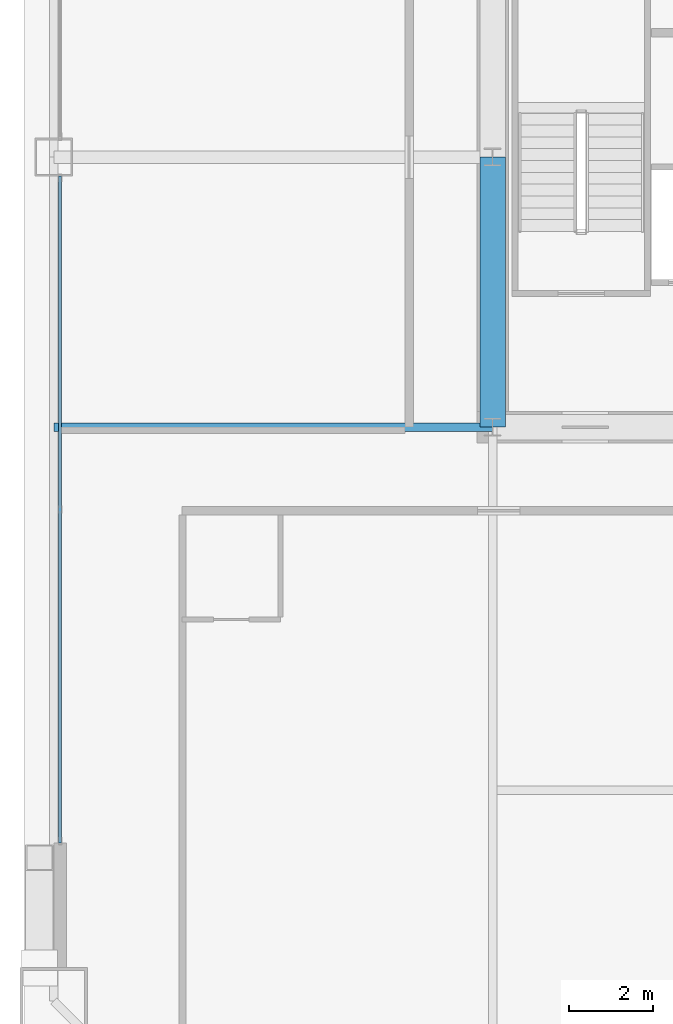
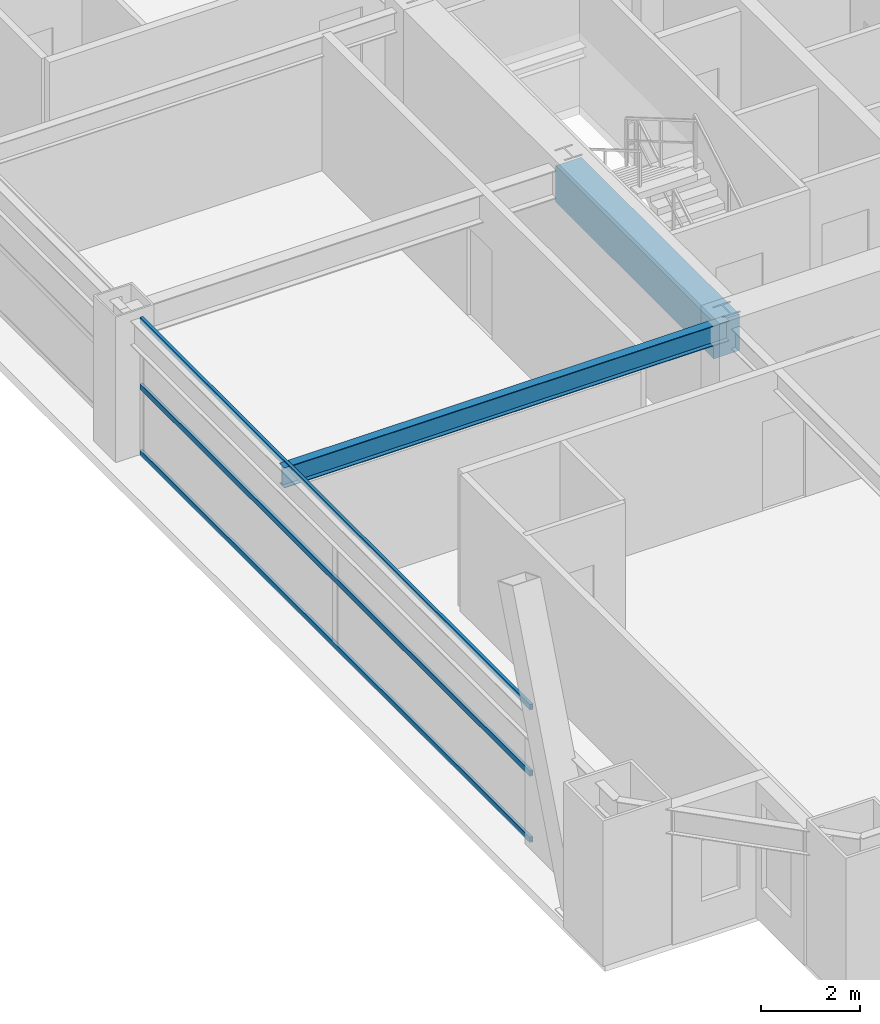
# One storey, part 11 of 43: 3 members, 2 beams, 1 element without a shape of its own.
"""IFC4 building model written with IfcOpenShell, lengths in metres."""

import ifcopenshell
import ifcopenshell.guid

model = None  # the IFC model being written
_history = None  # IfcOwnerHistory: only IFC2X3 demands one
_inside = {}  # id of a spatial element -> (the spatial element, [elements in it])
_under = {}  # id of a project, library or spatial element -> (it, [spatial elements below it])
_declared = {}  # id of a project -> (the project, [libraries it declares])
_typed = {}  # id of a type object -> (the type object, [elements of that type])
_made_of = {}  # id of a material, layer set ... -> (it, [elements and type objects made of it])


def new_model(schema):
    """Start an empty IFC model of exactly this schema.

    Asked for "IFC4X3", IfcOpenShell would pick the latest addendum, in which some entities
    have other attributes; the version numbers below select the first issue.
    IFC2X3 requires an IfcOwnerHistory on every rooted entity: one is made here for all.
    """
    global model, _history
    if schema == "IFC4X3":
        model = ifcopenshell.file(schema_version=(4, 3, 0, 0))
    else:
        model = ifcopenshell.file(schema=schema)
    _inside.clear()
    _under.clear()
    _declared.clear()
    _typed.clear()
    _made_of.clear()
    _history = None
    if model.schema == "IFC2X3":
        org = make("IfcOrganization", Name="unknown")
        user = make(
            "IfcPersonAndOrganization",
            ThePerson=make("IfcPerson", FamilyName="unknown"),
            TheOrganization=org,
        )
        app = make(
            "IfcApplication",
            ApplicationDeveloper=org,
            Version="unknown",
            ApplicationFullName="unknown",
            ApplicationIdentifier="unknown",
        )
        _history = make(
            "IfcOwnerHistory",
            OwningUser=user,
            OwningApplication=app,
            ChangeAction="ADDED",
            CreationDate=0,
        )
    return model


def make(cls, **values):
    """One entity of the class cls with the attributes given. An attribute that is None is left unset."""
    return model.create_entity(
        cls, **{name: value for name, value in values.items() if value is not None}
    )


def rooted(cls, **values):
    """An entity with a GlobalId (a new one), such as an element, a storey or a relation."""
    return make(cls, GlobalId=ifcopenshell.guid.new(), OwnerHistory=_history, **values)


def si_unit(unit_type, name, prefix=None):
    """IfcSIUnit, for example si_unit("LENGTHUNIT", "METRE", prefix="MILLI")."""
    return make("IfcSIUnit", UnitType=unit_type, Prefix=prefix, Name=name)


def assignment(units):
    """IfcUnitAssignment: the units of a project."""
    return None if units is None else make("IfcUnitAssignment", Units=units)


def point(xyz):
    """IfcCartesianPoint."""
    return None if xyz is None else make("IfcCartesianPoint", Coordinates=xyz)


def direction(xyz):
    """IfcDirection."""
    return None if xyz is None else make("IfcDirection", DirectionRatios=xyz)


def frame(location, z_axis=None, x_axis=None):
    """IfcAxis2Placement3D, a coordinate frame: its origin and axes. An axis left out is left unset."""
    return make(
        "IfcAxis2Placement3D",
        Location=point(location),
        Axis=direction(z_axis),
        RefDirection=direction(x_axis),
    )


def frame_2d(location, x_axis=None):
    """IfcAxis2Placement2D, a coordinate frame in the plane: its origin and x axis."""
    return make(
        "IfcAxis2Placement2D", Location=point(location), RefDirection=direction(x_axis)
    )


def origin():
    """The frame at (0, 0, 0) with its axes left unset."""
    return frame((0.0, 0.0, 0.0))


def origin_2d():
    """The frame at (0, 0) in the plane with its x axis left unset."""
    return frame_2d((0.0, 0.0))


def place(relative_to, where):
    """IfcLocalPlacement: puts the frame where relative to a parent placement (None: the world)."""
    return make(
        "IfcLocalPlacement", PlacementRelTo=relative_to, RelativePlacement=where
    )


def context(
    kind, dimensions, precision=None, world=None, true_north=None, identifier=None
):
    """IfcGeometricRepresentationContext, for example the 3D "Model" context."""
    return make(
        "IfcGeometricRepresentationContext",
        ContextIdentifier=identifier,
        ContextType=kind,
        CoordinateSpaceDimension=dimensions,
        Precision=precision,
        WorldCoordinateSystem=world,
        TrueNorth=true_north,
    )


def subcontext(parent, identifier, kind, view, scale=None):
    """IfcGeometricRepresentationSubContext, for example "Body" below "Model"."""
    return make(
        "IfcGeometricRepresentationSubContext",
        ContextIdentifier=identifier,
        ContextType=kind,
        ParentContext=parent,
        TargetScale=scale,
        TargetView=view,
    )


def project(units=None, contexts=None):
    """IfcProject with its units and contexts."""
    return rooted(
        "IfcProject",
        Name="project",
        RepresentationContexts=contexts,
        UnitsInContext=assignment(units),
    )


def spatial(cls, under=None, at=None, **own):
    """A site, building, storey or space (cls), placed at a placement, below another one or the project."""
    s = rooted(cls, ObjectPlacement=at, **own)
    if under is not None:
        _under.setdefault(under.id(), (under, []))[1].append(s)
    return s


def profile(cls, at=None, kind="AREA", **sizes):
    """A parametric profile (cls). Its sizes go by their IFC names, for example OverallWidth=200.0."""
    return make(cls, ProfileType=kind, Position=at, **sizes)


def rectangle(**sizes):
    """IfcRectangleProfileDef."""
    return profile("IfcRectangleProfileDef", **sizes)


def hollow_rectangle(**sizes):
    """IfcRectangleHollowProfileDef."""
    return profile("IfcRectangleHollowProfileDef", **sizes)


def i_section(**sizes):
    """IfcIShapeProfileDef."""
    return profile("IfcIShapeProfileDef", **sizes)


def extrude(swept, where, along, depth):
    """IfcExtrudedAreaSolid: the profile swept, set in the frame where, extruded along a direction by depth."""
    return make(
        "IfcExtrudedAreaSolid",
        SweptArea=swept,
        Position=where,
        ExtrudedDirection=direction(along),
        Depth=depth,
    )


def shape(context_of_items, identifier, shape_type, items):
    """IfcShapeRepresentation: the items that make up one representation, for example the "Body"."""
    return make(
        "IfcShapeRepresentation",
        ContextOfItems=context_of_items,
        RepresentationIdentifier=identifier,
        RepresentationType=shape_type,
        Items=items,
    )


def source(mapping_origin, context_of_items, identifier, shape_type, items):
    """IfcRepresentationMap: a shape defined once, which mapped items show again and again."""
    return make(
        "IfcRepresentationMap",
        MappingOrigin=mapping_origin,
        MappedRepresentation=shape(context_of_items, identifier, shape_type, items),
    )


def transform(
    local_origin,
    x_axis=None,
    y_axis=None,
    z_axis=None,
    scale=None,
    scale2=None,
    scale3=None,
    uniform=True,
):
    """IfcCartesianTransformationOperator3D, or its non-uniform kind. x_axis, y_axis, z_axis: its Axis1, 2, 3."""
    if uniform:
        return make(
            "IfcCartesianTransformationOperator3D",
            Axis1=direction(x_axis),
            Axis2=direction(y_axis),
            LocalOrigin=point(local_origin),
            Scale=scale,
            Axis3=direction(z_axis),
        )
    return make(
        "IfcCartesianTransformationOperator3DnonUniform",
        Axis1=direction(x_axis),
        Axis2=direction(y_axis),
        LocalOrigin=point(local_origin),
        Scale=scale,
        Axis3=direction(z_axis),
        Scale2=scale2,
        Scale3=scale3,
    )


def mapped(mapping_source, mapping_target):
    """IfcMappedItem: shows the shape of a source again, moved by a transform."""
    return make(
        "IfcMappedItem", MappingSource=mapping_source, MappingTarget=mapping_target
    )


def material(Name=None, Category=None):
    """IfcMaterial."""
    return make("IfcMaterial", Name=Name, Category=Category)


def layer(
    of_material, thickness, ventilated=None, Name=None, Category=None, Priority=None
):
    """IfcMaterialLayer: one layer of a wall or slab, of a material (None: an air gap)."""
    return make(
        "IfcMaterialLayer",
        Material=of_material,
        LayerThickness=thickness,
        IsVentilated=ventilated,
        Name=Name,
        Category=Category,
        Priority=Priority,
    )


def layer_set(layers, Name=None):
    """IfcMaterialLayerSet."""
    return make("IfcMaterialLayerSet", MaterialLayers=layers, LayerSetName=Name)


def material_profile(
    of_material, cross_section, Name=None, Category=None, Priority=None
):
    """IfcMaterialProfile: a cross section and its material."""
    return make(
        "IfcMaterialProfile",
        Name=Name,
        Material=of_material,
        Profile=cross_section,
        Priority=Priority,
        Category=Category,
    )


def profile_set(profiles, Name=None, composite=None):
    """IfcMaterialProfileSet."""
    return make(
        "IfcMaterialProfileSet",
        Name=Name,
        MaterialProfiles=profiles,
        CompositeProfile=composite,
    )


def made_of(thing, what):
    """Note that an element or type object is made of a material, layer set ...; save() writes the relation."""
    if what is not None:
        _made_of.setdefault(what.id(), (what, []))[1].append(thing)
    return thing


def type_object(cls, material=None, **own):
    """A type object (cls), such as IfcWallType, which elements share."""
    return made_of(rooted(cls, **own), material)


def element(
    cls,
    number,
    at=None,
    inside=None,
    cuts=None,
    type_object=None,
    material=None,
    context=None,
    identifier="Body",
    shape_type=None,
    held_by="IfcProductDefinitionShape",
    body=None,
    shapes=None,
    **own,
):
    """One element of the class cls, such as IfcWall. Its Tag is "e" and its number.

    at: its placement. inside: the storey or other place that contains it. cuts: it is an
    opening in that element (IfcRelVoidsElement). A single representation is given by context,
    identifier, shape_type and body (its items); several are given by shapes. held_by: the class
    of the entity that holds the representations. save() writes the other relations.
    """
    e = rooted(cls, Tag="e%d" % number, ObjectPlacement=at, **own)
    if body is not None:
        shapes = [shape(context, identifier, shape_type, body)]
    if shapes is not None:
        e.Representation = make(held_by, Representations=shapes)
    if inside is not None:
        _inside.setdefault(inside.id(), (inside, []))[1].append(e)
    if cuts is not None:
        rooted(
            "IfcRelVoidsElement", RelatingBuildingElement=cuts, RelatedOpeningElement=e
        )
    if type_object is not None:
        _typed.setdefault(type_object.id(), (type_object, []))[1].append(e)
    return made_of(e, material)


def aggregate(whole, parts):
    """IfcRelAggregates: a whole, such as a stair, and the parts it consists of."""
    return rooted("IfcRelAggregates", RelatingObject=whole, RelatedObjects=parts)


def save(model, path):
    """Write the relations noted so far, then the file.

    IfcRelAggregates (storeys below a building ...), IfcRelContainedInSpatialStructure (elements
    in a storey), IfcRelDefinesByType, IfcRelAssociatesMaterial and IfcRelDeclares: one each for
    every whole, place, type object, material and project.
    """
    for whole, parts in _under.values():
        aggregate(whole, parts)
    for where, things in _inside.values():
        rooted(
            "IfcRelContainedInSpatialStructure",
            RelatedElements=things,
            RelatingStructure=where,
        )
    for kind, things in _typed.values():
        rooted("IfcRelDefinesByType", RelatedObjects=things, RelatingType=kind)
    for what, things in _made_of.values():
        rooted("IfcRelAssociatesMaterial", RelatedObjects=things, RelatingMaterial=what)
    for by, libraries in _declared.values():
        rooted("IfcRelDeclares", RelatingContext=by, RelatedDefinitions=libraries)
    model.write(path)


model = new_model("IFC4")

# Units and contexts
model_context = context("Model", 3, precision=1e-05, world=origin(), true_north=direction((0.0, 1.0)))
body_context = subcontext(model_context, "Body", "Model", "MODEL_VIEW")
ifc_project = project(units=[si_unit("LENGTHUNIT", "METRE"), si_unit("AREAUNIT", "SQUARE_METRE"), si_unit("VOLUMEUNIT", "CUBIC_METRE"), si_unit("PLANEANGLEUNIT", "RADIAN"), si_unit("MASSUNIT", "GRAM", prefix="KILO"), si_unit("THERMODYNAMICTEMPERATUREUNIT", "KELVIN"), si_unit("POWERUNIT", "WATT")], contexts=[model_context])

# Site, building, storey
site_placement = place(None, origin())
site = spatial("IfcSite", under=ifc_project, at=site_placement, CompositionType="ELEMENT")
building_placement = place(site_placement, origin())
building = spatial("IfcBuilding", under=site, at=building_placement, Name="Yuzanri Waterfront Tower", CompositionType="ELEMENT")
storey_placement = place(building_placement, frame((0.0, 0.0, 108.199951171875)))
storey = spatial("IfcBuildingStorey", under=building, at=storey_placement, Name="L28", CompositionType="ELEMENT", Elevation=108.199951171875)

# Beams
ifc_material_1 = material(Name="Concrete C60", Category="concrete")
ifc_material_profile_1 = material_profile(ifc_material_1, rectangle(XDim=0.60009765625, YDim=0.89990234375, at=origin_2d()), Name="RC 600x900")
ifc_profile_set_1 = profile_set([ifc_material_profile_1], Name="Concrete C60")
beam_type_1 = type_object("IfcBeamType", Name="Core Coupling Lintel Concrete C60 600x900", PredefinedType="LINTEL", material=ifc_profile_set_1)
shared_shape_1 = source(origin(), body_context, "Body", "SweptSolid", [
    extrude(rectangle(XDim=0.60009765625, YDim=0.89990234375, at=origin_2d()), origin(), (0.0, 0.0, 1.0), 6.400146484375),
])
beam_1_placement = place(storey_placement, frame((23.800048828125, 19.39990234375, 2.929931640625), z_axis=(0.0, 1.0, 0.0), x_axis=(-1.0, 0.0, 0.0)))
element("IfcBeam", 1, at=beam_1_placement, inside=storey, type_object=beam_type_1, Name="L28 Core Tie Beam CW1", PredefinedType="LINTEL", context=body_context, shape_type="MappedRepresentation", body=[
    mapped(shared_shape_1, transform((0.0, 0.0, 0.0), scale=1.0)),
])
ifc_material_2 = material(Name="Steel Q355B", Category="steel")
ifc_material_profile_2 = material_profile(ifc_material_2, i_section(OverallWidth=0.199951171875, OverallDepth=0.5, WebThickness=0.010009765625, FlangeThickness=0.01611328125, at=origin_2d()), Name="HN 500x200x10x16")
ifc_profile_set_2 = profile_set([ifc_material_profile_2], Name="Steel Q355B")
beam_type_2 = type_object("IfcBeamType", Name="Secondary Floor Beam Q355B HN 500x200", PredefinedType="BEAM", material=ifc_profile_set_2)
shared_shape_2 = source(origin(), body_context, "Body", "SweptSolid", [
    extrude(i_section(OverallWidth=0.199951171875, OverallDepth=0.5, WebThickness=0.010009765625, FlangeThickness=0.01611328125, at=origin_2d()), origin(), (0.0, 0.0, 1.0), 10.400146484375),
])
beam_2_placement = place(storey_placement, frame((23.800048828125, 19.39990234375, 3.130126953125), z_axis=(-1.0, 0.0, 0.0), x_axis=(0.0, -1.0, 0.0)))
element("IfcBeam", 2, at=beam_2_placement, inside=storey, type_object=beam_type_2, Name="L28 West-South Core Line Beam", PredefinedType="BEAM", context=body_context, shape_type="MappedRepresentation", body=[
    mapped(shared_shape_2, transform((0.0, 0.0, 0.0), scale=1.0)),
])

# Curtain wall, members
ifc_material_3 = material(Name="Anodized Architectural Bronze", Category="metal")
ifc_layer = layer(ifc_material_3, 0.159912109375)
ifc_layer_set = layer_set([ifc_layer], Name="Anodized Architectural Bronze")
curtain_wall_type = type_object("IfcCurtainWallType", Name="Anodized Bronze Hotel Upper-Tier Solar-Control Unitized Curtain Wall 7800", PredefinedType="NOTDEFINED", material=ifc_layer_set)
curtain_wall_placement = place(storey_placement, origin())
curtain_wall = element("IfcCurtainWall", 3, at=curtain_wall_placement, inside=storey, type_object=curtain_wall_type, Name="L28 Curtain Wall CW-L28-WL", PredefinedType="NOTDEFINED")
ifc_material_4 = material(Name="Anodized Architectural Bronze", Category="metal")
ifc_material_profile_3 = material_profile(ifc_material_4, hollow_rectangle(XDim=0.070068359375, YDim=0.135009765625, WallThickness=0.00341796875, at=origin_2d()), Name="CWT 70x135")
ifc_profile_set_3 = profile_set([ifc_material_profile_3], Name="Anodized Architectural Bronze")
member_type = type_object("IfcMemberType", Name="Anodized Bronze Standard Curtain-Wall Transom 70x135", PredefinedType="USERDEFINED", material=ifc_profile_set_3)
shared_shape_3 = source(origin(), body_context, "Body", "SweptSolid", [
    extrude(hollow_rectangle(XDim=0.070068359375, YDim=0.135009765625, WallThickness=0.00341796875, at=origin_2d()), origin(), (0.0, 0.0, 1.0), 15.800048828125),
])
member_1_placement = place(storey_placement, frame((13.550048828125, 9.550048828125, 0.050048828125), z_axis=(0.0, 1.0, 0.0), x_axis=(-1.0, 0.0, 0.0)))
member_1 = element("IfcMember", 4, at=member_1_placement, type_object=member_type, Name="CW-L28-WL Transom 1", ObjectType="TRANSOM", PredefinedType="USERDEFINED", context=body_context, shape_type="MappedRepresentation", body=[
    mapped(shared_shape_3, transform((0.0, 0.0, 0.0), scale=1.0)),
])
member_2_placement = place(storey_placement, frame((13.550048828125, 9.550048828125, 1.68994140625), z_axis=(0.0, 1.0, 0.0), x_axis=(-1.0, 0.0, 0.0)))
member_2 = element("IfcMember", 5, at=member_2_placement, type_object=member_type, Name="CW-L28-WL Transom 2", ObjectType="TRANSOM", PredefinedType="USERDEFINED", context=body_context, shape_type="MappedRepresentation", body=[
    mapped(shared_shape_3, transform((0.0, 0.0, 0.0), scale=1.0)),
])
member_3_placement = place(storey_placement, frame((13.550048828125, 9.550048828125, 3.330078125), z_axis=(0.0, 1.0, 0.0), x_axis=(-1.0, 0.0, 0.0)))
member_3 = element("IfcMember", 6, at=member_3_placement, type_object=member_type, Name="CW-L28-WL Transom 3", ObjectType="TRANSOM", PredefinedType="USERDEFINED", context=body_context, shape_type="MappedRepresentation", body=[
    mapped(shared_shape_3, transform((0.0, 0.0, 0.0), scale=1.0)),
])
aggregate(curtain_wall, [member_1, member_2, member_3])

save(model, "model.ifc")
